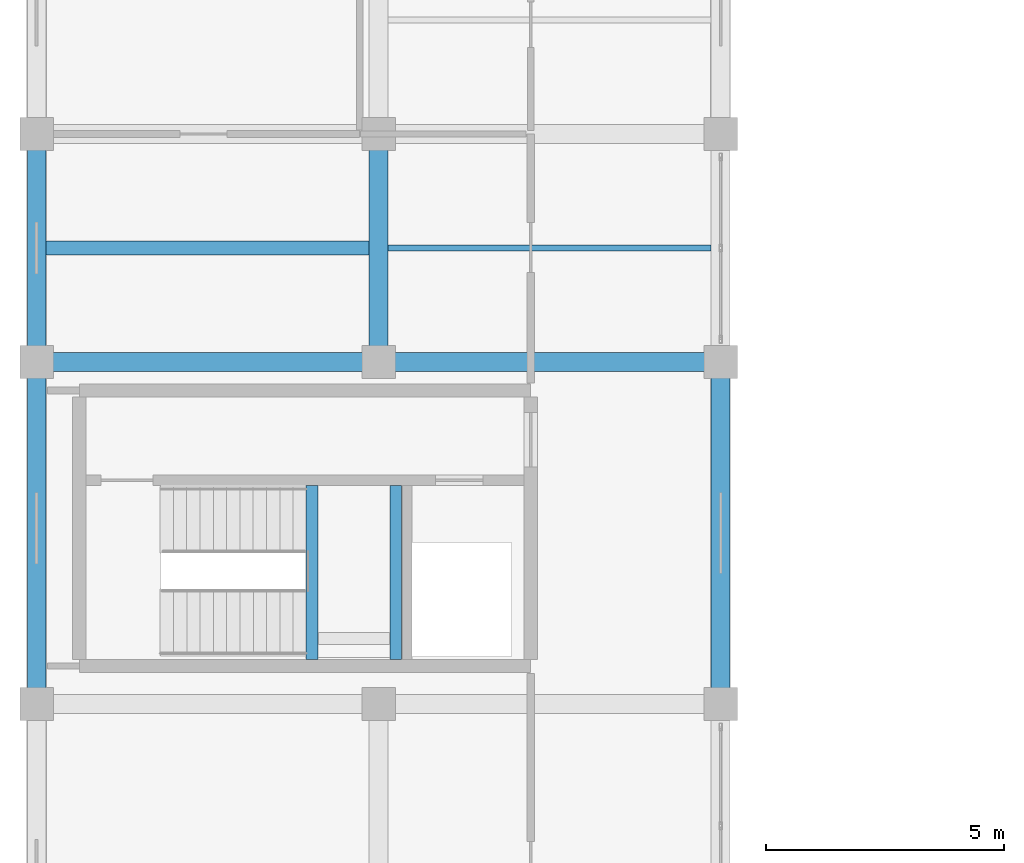
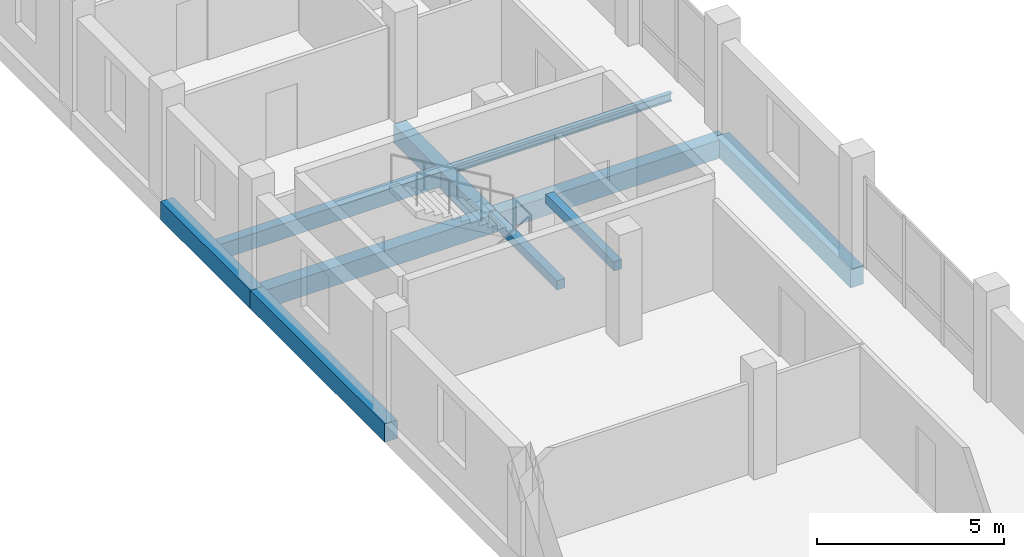
# One storey, part 26 of 128: 10 beams.
"""IFC4 building model written with IfcOpenShell, lengths in metres."""

from ifc_helpers import new_model, si_unit, direction, frame, origin, origin_2d, place, context, subcontext, project, spatial, rectangle, i_section, extrude, material, material_profile, profile_set, type_object, element, save


model = new_model("IFC4")

# Units and contexts
model_context = context("Model", 3, precision=1e-05, world=origin(), true_north=direction((0.0, 1.0)))
body_context = subcontext(model_context, "Body", "Model", "MODEL_VIEW")
ifc_project = project(units=[si_unit("LENGTHUNIT", "METRE"), si_unit("AREAUNIT", "SQUARE_METRE"), si_unit("VOLUMEUNIT", "CUBIC_METRE"), si_unit("PLANEANGLEUNIT", "RADIAN"), si_unit("MASSUNIT", "GRAM", prefix="KILO")], contexts=[model_context])

# Site, building, storey
site_placement = place(None, origin())
site = spatial("IfcSite", under=ifc_project, at=site_placement, CompositionType="ELEMENT")
building_placement = place(site_placement, origin())
building = spatial("IfcBuilding", under=site, at=building_placement, Name="Zornivar Specialist Clinic", CompositionType="ELEMENT")
storey_placement = place(building_placement, frame((0.0, 0.0, 4.5)))
storey = spatial("IfcBuildingStorey", under=building, at=storey_placement, Name="L01", CompositionType="ELEMENT", Elevation=4.5)

# Beams
ifc_material_1 = material(Name="Concrete C30/37", Category="concrete")
ifc_material_profile_1 = material_profile(ifc_material_1, rectangle(XDim=0.25, YDim=0.300048828125, at=origin_2d()), Name="RC 250x300")
ifc_profile_set_1 = profile_set([ifc_material_profile_1], Name="Concrete C30/37")
beam_type_1 = type_object("IfcBeamType", Name="BM-LAND-250x300", PredefinedType="BEAM", material=ifc_profile_set_1)
for number, where, z_axis, x_axis, name in (
    (1, (5.800048828125, 36.93994140625, 1.6201171875), (0.0, 1.0, 0.0), (-1.0, 0.0, 0.0), "bm:stair:C2:L01:lW"),
    (2, (7.56005859375, 36.93994140625, 1.6201171875), (0.0, 1.0, 0.0), (-1.0, 0.0, 0.0), "bm:stair:C2:L01:lE"),
):
    element("IfcBeam", number, at=place(storey_placement, frame(where, z_axis=z_axis, x_axis=x_axis)), inside=storey, type_object=beam_type_1, Name=name, PredefinedType="BEAM", context=body_context, shape_type="SweptSolid", body=[
        extrude(rectangle(XDim=0.25, YDim=0.300048828125, at=origin_2d()), origin(), (0.0, 0.0, 1.0), 3.66015625),
    ])
ifc_material_2 = material(Name="Concrete C30/37", Category="concrete")
ifc_material_profile_2 = material_profile(ifc_material_2, rectangle(XDim=0.39990234375, YDim=0.60009765625, at=origin_2d()), Name="RC 400x600")
ifc_profile_set_2 = profile_set([ifc_material_profile_2], Name="Concrete C30/37")
beam_type_2 = type_object("IfcBeamType", Name="BM-RC-400x600", PredefinedType="BEAM", material=ifc_profile_set_2)
for number, where, z_axis, x_axis, name in (
    (3, (0.0, 43.199951171875, -0.580078125), (1.0, 0.0, 0.0), (0.0, 1.0, 0.0), "bm:V2:L01:x:432:0"),
    (4, (7.199951171875, 43.199951171875, -0.580078125), (1.0, 0.0, 0.0), (0.0, 1.0, 0.0), "bm:V2:L01:x:432:1"),
):
    element("IfcBeam", number, at=place(storey_placement, frame(where, z_axis=z_axis, x_axis=x_axis)), inside=storey, type_object=beam_type_2, Name=name, PredefinedType="BEAM", context=body_context, shape_type="SweptSolid", body=[
        extrude(rectangle(XDim=0.39990234375, YDim=0.60009765625, at=origin_2d()), origin(), (0.0, 0.0, 1.0), 7.199951171875),
    ])
beam_1_placement = place(storey_placement, frame((7.199951171875, 43.199951171875, -0.580078125), z_axis=(0.0, 1.0, 0.0), x_axis=(-1.0, 0.0, 0.0)))
element("IfcBeam", 5, at=beam_1_placement, inside=storey, type_object=beam_type_2, Name="bm:V2:L01:y:72:6", PredefinedType="BEAM", context=body_context, shape_type="SweptSolid", body=[
    extrude(rectangle(XDim=0.39990234375, YDim=0.60009765625, at=origin_2d()), origin(), (0.0, 0.0, 1.0), 4.800048828125),
])
beam_2_placement = place(storey_placement, frame((14.39990234375, 36.0, -0.580078125), z_axis=(0.0, 1.0, 0.0), x_axis=(-1.0, 0.0, 0.0)))
element("IfcBeam", 6, at=beam_2_placement, inside=storey, type_object=beam_type_2, Name="bm:V2:L01:y:144:5", PredefinedType="BEAM", context=body_context, shape_type="SweptSolid", body=[
    extrude(rectangle(XDim=0.39990234375, YDim=0.60009765625, at=origin_2d()), origin(), (0.0, 0.0, 1.0), 7.199951171875),
])
ifc_material_3 = material(Name="Concrete C30/37", Category="concrete")
ifc_material_profile_3 = material_profile(ifc_material_3, rectangle(XDim=0.389892578125, YDim=0.60009765625, at=origin_2d()), Name="RC 390x600")
ifc_profile_set_3 = profile_set([ifc_material_profile_3], Name="Concrete C30/37")
beam_type_3 = type_object("IfcBeamType", Name="BM-RC-SPANDREL-390x600", PredefinedType="SPANDREL", material=ifc_profile_set_3)
beam_3_placement = place(storey_placement, frame((0.0, 36.0, -0.580078125), z_axis=(0.0, 1.0, 0.0), x_axis=(-1.0, 0.0, 0.0)))
element("IfcBeam", 7, at=beam_3_placement, inside=storey, type_object=beam_type_3, Name="bm:V2:L01:y:0:5", PredefinedType="SPANDREL", context=body_context, shape_type="SweptSolid", body=[
    extrude(rectangle(XDim=0.389892578125, YDim=0.60009765625, at=origin_2d()), origin(), (0.0, 0.0, 1.0), 7.199951171875),
])
beam_4_placement = place(storey_placement, frame((0.0, 43.199951171875, -0.580078125), z_axis=(0.0, 1.0, 0.0), x_axis=(-1.0, 0.0, 0.0)))
element("IfcBeam", 8, at=beam_4_placement, inside=storey, type_object=beam_type_3, Name="bm:V2:L01:y:0:6", PredefinedType="SPANDREL", context=body_context, shape_type="SweptSolid", body=[
    extrude(rectangle(XDim=0.389892578125, YDim=0.60009765625, at=origin_2d()), origin(), (0.0, 0.0, 1.0), 4.800048828125),
])
ifc_material_4 = material(Name="Concrete C30/37", Category="concrete")
ifc_material_profile_4 = material_profile(ifc_material_4, rectangle(XDim=0.300048828125, YDim=0.5, at=origin_2d()), Name="RC 300x500")
ifc_profile_set_4 = profile_set([ifc_material_profile_4], Name="Concrete C30/37")
beam_type_4 = type_object("IfcBeamType", Name="BM-RC-TRIM-300x500", PredefinedType="BEAM", material=ifc_profile_set_4)
beam_5_placement = place(storey_placement, frame((0.195068359375, 45.60009765625, -0.530029296875), z_axis=(1.0, 0.0, 0.0), x_axis=(0.0, 1.0, 0.0)))
element("IfcBeam", 9, at=beam_5_placement, inside=storey, type_object=beam_type_4, Name="bm:trim:V2:L01:4", PredefinedType="BEAM", context=body_context, shape_type="SweptSolid", body=[
    extrude(rectangle(XDim=0.300048828125, YDim=0.5, at=origin_2d()), origin(), (0.0, 0.0, 1.0), 6.804931640625),
])
ifc_material_5 = material(Name="Steel S355J2", Category="steel")
ifc_material_profile_5 = material_profile(ifc_material_5, i_section(OverallWidth=0.135009765625, OverallDepth=0.27001953125, WebThickness=0.006591796875, FlangeThickness=0.01025390625, FilletRadius=0.014892578125, at=origin_2d()), Name="IPE 270")
ifc_profile_set_5 = profile_set([ifc_material_profile_5], Name="Steel S355J2")
beam_type_5 = type_object("IfcBeamType", Name="BM-STL-IPE270", PredefinedType="JOIST", material=ifc_profile_set_5)
beam_6_placement = place(storey_placement, frame((7.39990234375, 45.60009765625, -0.4150390625), z_axis=(1.0, 0.0, 0.0), x_axis=(0.0, 1.0, 0.0)))
element("IfcBeam", 10, at=beam_6_placement, inside=storey, type_object=beam_type_5, Name="bm:V2:L01:joist:3", PredefinedType="JOIST", context=body_context, shape_type="SweptSolid", body=[
    extrude(i_section(OverallWidth=0.135009765625, OverallDepth=0.27001953125, WebThickness=0.006591796875, FlangeThickness=0.01025390625, FilletRadius=0.014892578125, at=origin_2d()), origin(), (0.0, 0.0, 1.0), 6.800048828125),
])

save(model, "model.ifc")
